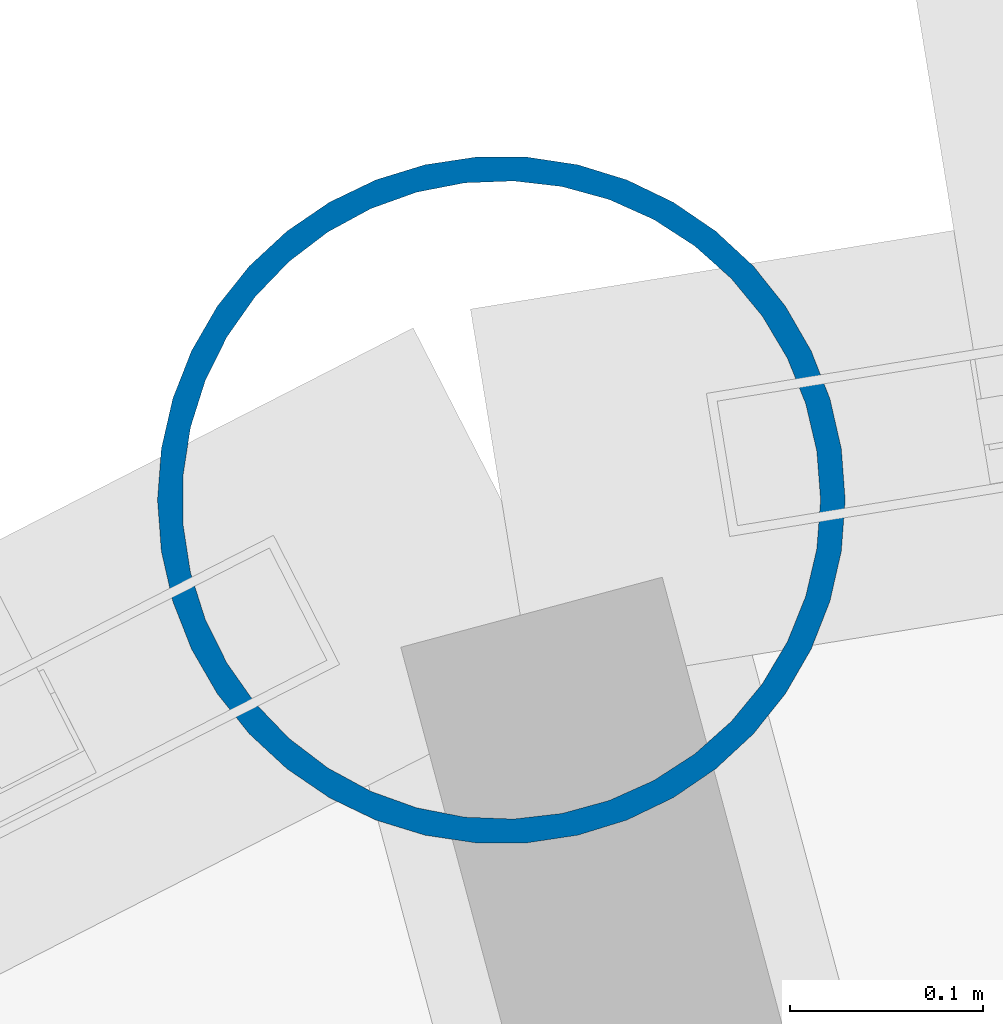
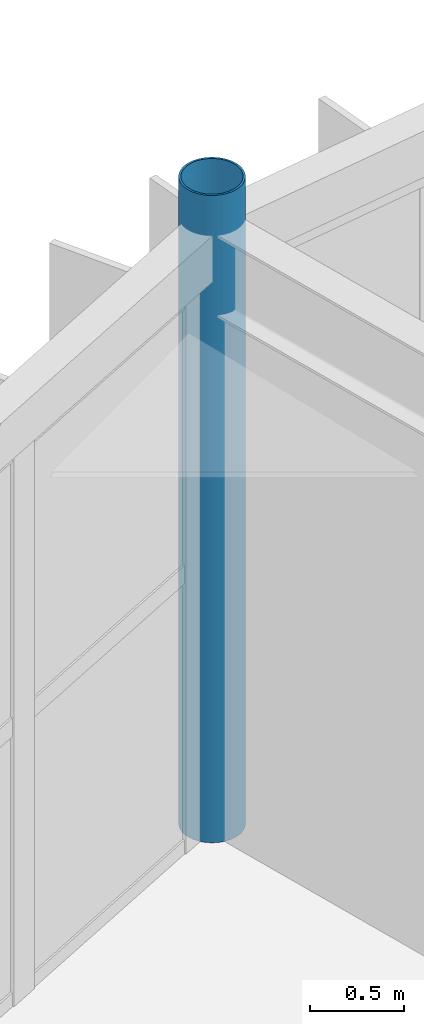
# One storey, part 13 of 148: 1 column.
"""IFC4 building model written with IfcOpenShell, lengths in metres."""

from ifc_helpers import new_model, si_unit, direction, frame, origin, origin_2d, place, context, subcontext, project, spatial, hollow_circle, extrude, material, material_profile, profile_set, type_object, element, save


model = new_model("IFC4")

# Units and contexts
model_context = context("Model", 3, precision=1e-05, world=origin(), true_north=direction((0.0, 1.0)))
body_context = subcontext(model_context, "Body", "Model", "MODEL_VIEW")
ifc_project = project(units=[si_unit("LENGTHUNIT", "METRE"), si_unit("AREAUNIT", "SQUARE_METRE"), si_unit("VOLUMEUNIT", "CUBIC_METRE"), si_unit("PLANEANGLEUNIT", "RADIAN"), si_unit("MASSUNIT", "GRAM", prefix="KILO")], contexts=[model_context])

# Site, building, storey
site_placement = place(None, origin())
site = spatial("IfcSite", under=ifc_project, at=site_placement, CompositionType="ELEMENT")
building_placement = place(site_placement, origin())
building = spatial("IfcBuilding", under=site, at=building_placement, Name="Karori Crest Natural Sciences Institute", CompositionType="ELEMENT")
storey_placement = place(building_placement, frame((0.0, 0.0, 4.89990234375)))
storey = spatial("IfcBuildingStorey", under=building, at=storey_placement, Name="L01", CompositionType="ELEMENT", Elevation=4.89990234375)

# Column
ifc_material = material(Name="Hollow structural steel AS/NZS 1163 Grade C350", Category="steel")
ifc_material_profile = material_profile(ifc_material, hollow_circle(Radius=0.177734375, WallThickness=0.0126953125, at=origin_2d()), Name="CHS355.6x12.7")
ifc_profile_set = profile_set([ifc_material_profile], Name="Hollow structural steel AS/NZS 1163 Grade C350")
column_type = type_object("IfcColumnType", Name="CT-14", PredefinedType="COLUMN", material=ifc_profile_set)
column_placement = place(storey_placement, frame((57.85888671875, 89.309814453125, 0.0), z_axis=(0.0, 0.0, 1.0), x_axis=(1.0, 0.0, 0.0)))
element("IfcColumn", 1, at=column_placement, inside=storey, type_object=column_type, Name="Column C-0129", PredefinedType="COLUMN", context=body_context, shape_type="SweptSolid", body=[
    extrude(hollow_circle(Radius=0.177734375, WallThickness=0.0126953125, at=origin_2d()), origin(), (0.0, 0.0, 1.0), 4.2001953125),
])

save(model, "model.ifc")
